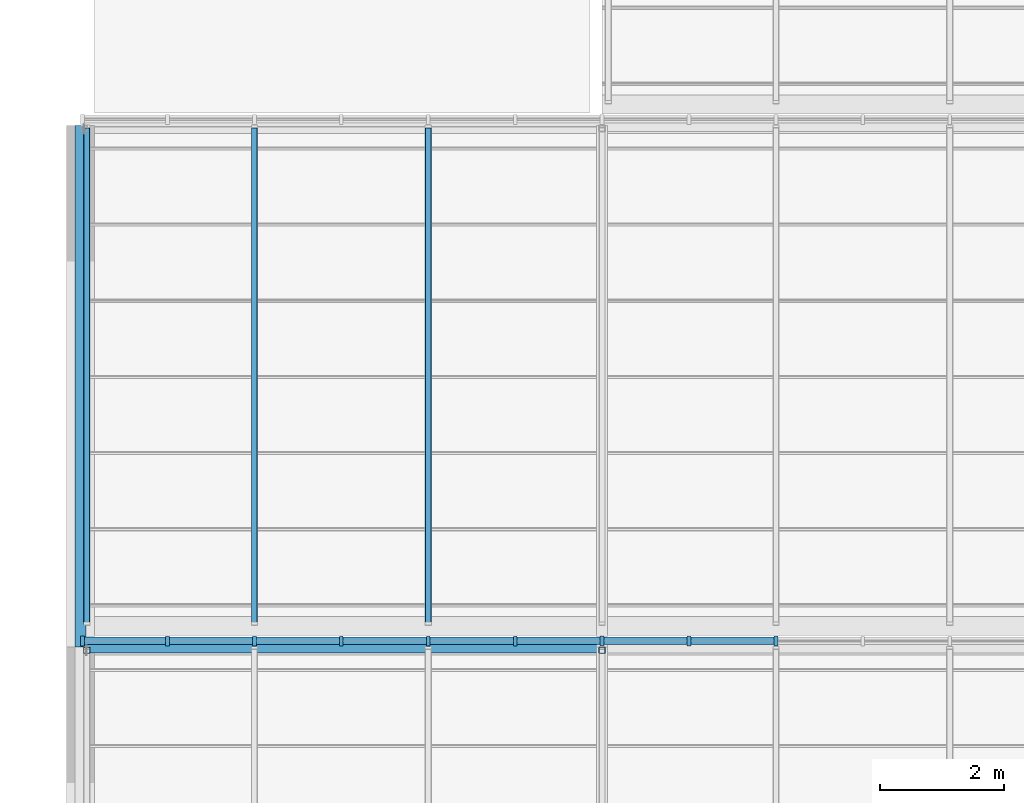
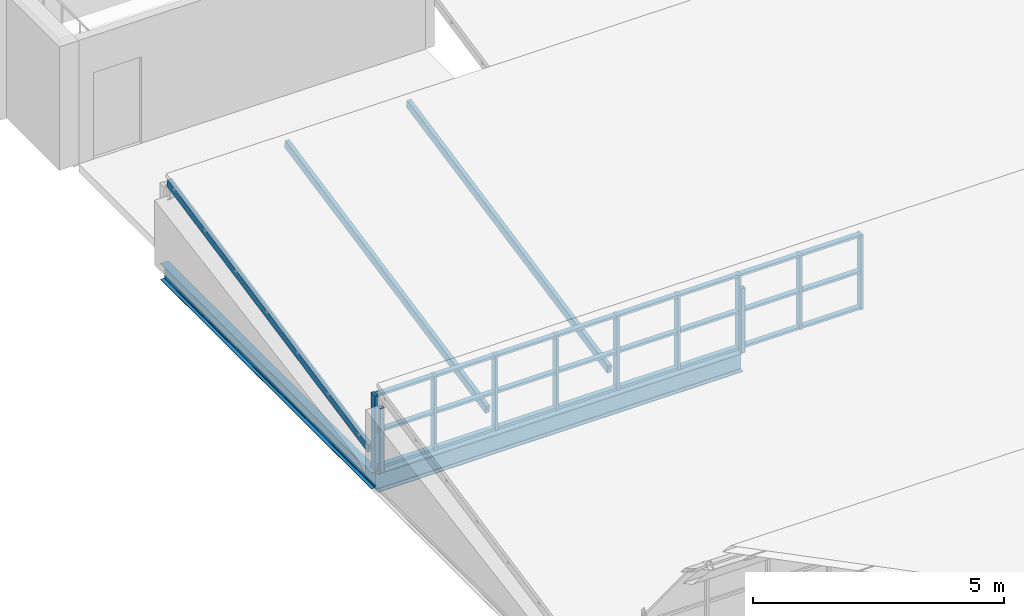
# One storey, part 15 of 121: 38 members, 2 beams, 1 element without a shape of its own.
"""IFC4 building model written with IfcOpenShell, lengths in metres."""

from ifc_helpers import new_model, si_unit, direction, frame, origin, origin_2d, place, context, subcontext, project, spatial, rectangle, hollow_rectangle, i_section, extrude, material, layer, layer_set, material_profile, profile_set, type_object, element, aggregate, save


model = new_model("IFC4")

# Units and contexts
model_context = context("Model", 3, precision=1e-05, world=origin(), true_north=direction((0.0, 1.0)))
body_context = subcontext(model_context, "Body", "Model", "MODEL_VIEW")
ifc_project = project(units=[si_unit("LENGTHUNIT", "METRE"), si_unit("AREAUNIT", "SQUARE_METRE"), si_unit("VOLUMEUNIT", "CUBIC_METRE"), si_unit("PLANEANGLEUNIT", "RADIAN"), si_unit("MASSUNIT", "GRAM", prefix="KILO")], contexts=[model_context])

# Site, building, storey
site_placement = place(None, origin())
site = spatial("IfcSite", under=ifc_project, at=site_placement, CompositionType="ELEMENT")
building_placement = place(site_placement, origin())
building = spatial("IfcBuilding", under=site, at=building_placement, Name="Ardhachandra Cancer Care Centre", CompositionType="ELEMENT")
storey_placement = place(building_placement, frame((0.0, 0.0, 9.0)))
storey = spatial("IfcBuildingStorey", under=building, at=storey_placement, Name="L02", CompositionType="ELEMENT", Elevation=9.0)

# Beams
ifc_material_1 = material(Name="Steel E350 (IS 2062)", Category="steel")
ifc_material_profile_1 = material_profile(ifc_material_1, i_section(OverallWidth=0.179931640625, OverallDepth=0.39990234375, WebThickness=0.008544921875, FlangeThickness=0.013427734375, FilletRadius=0.02099609375, at=origin_2d()), Name="NPB 400x180x66.30")
ifc_profile_set_1 = profile_set([ifc_material_profile_1], Name="Steel E350 (IS 2062)")
beam_type_1 = type_object("IfcBeamType", Name="Beam NPB 400x180x66.30", PredefinedType="BEAM", material=ifc_profile_set_1)
beam_1_placement = place(storey_placement, frame((10.800048828125, 54.60009765625, -0.199951171875), z_axis=(0.0, 1.0, 0.0), x_axis=(-1.0, 0.0, 0.0)))
element("IfcBeam", 1, at=beam_1_placement, inside=storey, type_object=beam_type_1, Name="Roof girder F1-G1", PredefinedType="BEAM", context=body_context, shape_type="SweptSolid", body=[
    extrude(i_section(OverallWidth=0.179931640625, OverallDepth=0.39990234375, WebThickness=0.008544921875, FlangeThickness=0.013427734375, FilletRadius=0.02099609375, at=origin_2d()), origin(), (0.0, 0.0, 1.0), 8.39990234375),
])
ifc_material_2 = material(Name="Steel E350 (IS 2062)", Category="steel")
ifc_material_profile_2 = material_profile(ifc_material_2, i_section(OverallWidth=0.19189453125, OverallDepth=0.4560546875, WebThickness=0.010986328125, FlangeThickness=0.017578125, FilletRadius=0.02099609375, at=origin_2d()), Name="NPB 450x190x92.36")
ifc_profile_set_2 = profile_set([ifc_material_profile_2], Name="Steel E350 (IS 2062)")
beam_type_2 = type_object("IfcBeamType", Name="Beam NPB 450x190x92.36", PredefinedType="BEAM", material=ifc_profile_set_2)
beam_2_placement = place(storey_placement, frame((10.800048828125, 54.60009765625, -0.22802734375), z_axis=(1.0, 0.0, 0.0), x_axis=(0.0, 1.0, 0.0)))
element("IfcBeam", 2, at=beam_2_placement, inside=storey, type_object=beam_type_2, Name="Roof girder F1-F2", PredefinedType="BEAM", context=body_context, shape_type="SweptSolid", body=[
    extrude(i_section(OverallWidth=0.19189453125, OverallDepth=0.4560546875, WebThickness=0.010986328125, FlangeThickness=0.017578125, FilletRadius=0.02099609375, at=origin_2d()), origin(), (0.0, 0.0, 1.0), 8.39990234375),
])

# Curtain wall, members
ifc_material_3 = material(Name="Aluminium extrusion", Category="aluminium")
ifc_layer = layer(ifc_material_3, 0.14990234375)
ifc_layer_set = layer_set([ifc_layer], Name="Aluminium extrusion")
curtain_wall_type = type_object("IfcCurtainWallType", Name="Curtain wall run", PredefinedType="NOTDEFINED", material=ifc_layer_set)
curtain_wall_placement = place(storey_placement, origin())
curtain_wall = element("IfcCurtainWall", 3, at=curtain_wall_placement, inside=storey, type_object=curtain_wall_type, Name="Curtain wall L02 n/0010800_0054700", PredefinedType="NOTDEFINED")
ifc_material_4 = material(Name="Aluminium extrusion", Category="aluminium")
ifc_material_profile_3 = material_profile(ifc_material_4, rectangle(XDim=0.159912109375, YDim=0.06005859375, at=origin_2d()), Name="Curtain wall mullion 60 x 160")
ifc_profile_set_3 = profile_set([ifc_material_profile_3], Name="Aluminium extrusion")
member_type_1 = type_object("IfcMemberType", Name="Curtain wall mullion 60 x 160", PredefinedType="MULLION", material=ifc_profile_set_3)
member_1_placement = place(storey_placement, frame((10.830078125, 54.699951171875, 0.0), z_axis=(0.0, 0.0, 1.0), x_axis=(0.0, 1.0, 0.0)))
member_1 = element("IfcMember", 4, at=member_1_placement, type_object=member_type_1, Name="CW mullion 1", PredefinedType="MULLION", context=body_context, shape_type="SweptSolid", body=[
    extrude(rectangle(XDim=0.159912109375, YDim=0.06005859375, at=origin_2d()), origin(), (0.0, 0.0, 1.0), 1.820068359375),
])
member_2_placement = place(storey_placement, frame((12.199951171875, 54.699951171875, 0.0), z_axis=(0.0, 0.0, 1.0), x_axis=(0.0, 1.0, 0.0)))
member_2 = element("IfcMember", 5, at=member_2_placement, type_object=member_type_1, Name="CW mullion 2", PredefinedType="MULLION", context=body_context, shape_type="SweptSolid", body=[
    extrude(rectangle(XDim=0.159912109375, YDim=0.06005859375, at=origin_2d()), origin(), (0.0, 0.0, 1.0), 1.820068359375),
])
member_3_placement = place(storey_placement, frame((13.60009765625, 54.699951171875, 0.0), z_axis=(0.0, 0.0, 1.0), x_axis=(0.0, 1.0, 0.0)))
member_3 = element("IfcMember", 6, at=member_3_placement, type_object=member_type_1, Name="CW mullion 3", PredefinedType="MULLION", context=body_context, shape_type="SweptSolid", body=[
    extrude(rectangle(XDim=0.159912109375, YDim=0.06005859375, at=origin_2d()), origin(), (0.0, 0.0, 1.0), 1.820068359375),
])
member_4_placement = place(storey_placement, frame((15.0, 54.699951171875, 0.0), z_axis=(0.0, 0.0, 1.0), x_axis=(0.0, 1.0, 0.0)))
member_4 = element("IfcMember", 7, at=member_4_placement, type_object=member_type_1, Name="CW mullion 4", PredefinedType="MULLION", context=body_context, shape_type="SweptSolid", body=[
    extrude(rectangle(XDim=0.159912109375, YDim=0.06005859375, at=origin_2d()), origin(), (0.0, 0.0, 1.0), 1.820068359375),
])
member_5_placement = place(storey_placement, frame((16.39990234375, 54.699951171875, 0.0), z_axis=(0.0, 0.0, 1.0), x_axis=(0.0, 1.0, 0.0)))
member_5 = element("IfcMember", 8, at=member_5_placement, type_object=member_type_1, Name="CW mullion 5", PredefinedType="MULLION", context=body_context, shape_type="SweptSolid", body=[
    extrude(rectangle(XDim=0.159912109375, YDim=0.06005859375, at=origin_2d()), origin(), (0.0, 0.0, 1.0), 1.820068359375),
])
member_6_placement = place(storey_placement, frame((17.800048828125, 54.699951171875, 0.0), z_axis=(0.0, 0.0, 1.0), x_axis=(0.0, 1.0, 0.0)))
member_6 = element("IfcMember", 9, at=member_6_placement, type_object=member_type_1, Name="CW mullion 6", PredefinedType="MULLION", context=body_context, shape_type="SweptSolid", body=[
    extrude(rectangle(XDim=0.159912109375, YDim=0.06005859375, at=origin_2d()), origin(), (0.0, 0.0, 1.0), 1.820068359375),
])
member_7_placement = place(storey_placement, frame((19.199951171875, 54.699951171875, 0.0), z_axis=(0.0, 0.0, 1.0), x_axis=(0.0, 1.0, 0.0)))
member_7 = element("IfcMember", 10, at=member_7_placement, type_object=member_type_1, Name="CW mullion 7", PredefinedType="MULLION", context=body_context, shape_type="SweptSolid", body=[
    extrude(rectangle(XDim=0.159912109375, YDim=0.06005859375, at=origin_2d()), origin(), (0.0, 0.0, 1.0), 1.820068359375),
])
member_8_placement = place(storey_placement, frame((20.60009765625, 54.699951171875, 0.0), z_axis=(0.0, 0.0, 1.0), x_axis=(0.0, 1.0, 0.0)))
member_8 = element("IfcMember", 11, at=member_8_placement, type_object=member_type_1, Name="CW mullion 8", PredefinedType="MULLION", context=body_context, shape_type="SweptSolid", body=[
    extrude(rectangle(XDim=0.159912109375, YDim=0.06005859375, at=origin_2d()), origin(), (0.0, 0.0, 1.0), 1.820068359375),
])
member_9_placement = place(storey_placement, frame((22.0, 54.699951171875, 0.0), z_axis=(0.0, 0.0, 1.0), x_axis=(0.0, 1.0, 0.0)))
member_9 = element("IfcMember", 12, at=member_9_placement, type_object=member_type_1, Name="CW mullion 9", PredefinedType="MULLION", context=body_context, shape_type="SweptSolid", body=[
    extrude(rectangle(XDim=0.159912109375, YDim=0.06005859375, at=origin_2d()), origin(), (0.0, 0.0, 1.0), 1.820068359375),
])
ifc_material_5 = material(Name="Aluminium extrusion", Category="aluminium")
ifc_material_profile_4 = material_profile(ifc_material_5, rectangle(XDim=0.1201171875, YDim=0.06005859375, at=origin_2d()), Name="Curtain wall transom 60 x 120")
ifc_profile_set_4 = profile_set([ifc_material_profile_4], Name="Aluminium extrusion")
member_type_2 = type_object("IfcMemberType", Name="Curtain wall transom 60 x 120", PredefinedType="USERDEFINED", material=ifc_profile_set_4)
member_10_placement = place(storey_placement, frame((10.860107421875, 54.699951171875, 0.030029296875), z_axis=(1.0, 0.0, 0.0), x_axis=(0.0, 1.0, 0.0)))
member_10 = element("IfcMember", 13, at=member_10_placement, type_object=member_type_2, Name="CW transom 1.1", ObjectType="TRANSOM", PredefinedType="USERDEFINED", context=body_context, shape_type="SweptSolid", body=[
    extrude(rectangle(XDim=0.1201171875, YDim=0.06005859375, at=origin_2d()), origin(), (0.0, 0.0, 1.0), 1.309814453125),
])
member_11_placement = place(storey_placement, frame((10.860107421875, 54.699951171875, 0.909912109375), z_axis=(1.0, 0.0, 0.0), x_axis=(0.0, 1.0, 0.0)))
member_11 = element("IfcMember", 14, at=member_11_placement, type_object=member_type_2, Name="CW transom 1.2", ObjectType="TRANSOM", PredefinedType="USERDEFINED", context=body_context, shape_type="SweptSolid", body=[
    extrude(rectangle(XDim=0.1201171875, YDim=0.06005859375, at=origin_2d()), origin(), (0.0, 0.0, 1.0), 1.309814453125),
])
member_12_placement = place(storey_placement, frame((10.860107421875, 54.699951171875, 1.7900390625), z_axis=(1.0, 0.0, 0.0), x_axis=(0.0, 1.0, 0.0)))
member_12 = element("IfcMember", 15, at=member_12_placement, type_object=member_type_2, Name="CW transom 1.3", ObjectType="TRANSOM", PredefinedType="USERDEFINED", context=body_context, shape_type="SweptSolid", body=[
    extrude(rectangle(XDim=0.1201171875, YDim=0.06005859375, at=origin_2d()), origin(), (0.0, 0.0, 1.0), 1.309814453125),
])
member_13_placement = place(storey_placement, frame((12.22998046875, 54.699951171875, 0.030029296875), z_axis=(1.0, 0.0, 0.0), x_axis=(0.0, 1.0, 0.0)))
member_13 = element("IfcMember", 16, at=member_13_placement, type_object=member_type_2, Name="CW transom 2.1", ObjectType="TRANSOM", PredefinedType="USERDEFINED", context=body_context, shape_type="SweptSolid", body=[
    extrude(rectangle(XDim=0.1201171875, YDim=0.06005859375, at=origin_2d()), origin(), (0.0, 0.0, 1.0), 1.340087890625),
])
member_14_placement = place(storey_placement, frame((12.22998046875, 54.699951171875, 0.909912109375), z_axis=(1.0, 0.0, 0.0), x_axis=(0.0, 1.0, 0.0)))
member_14 = element("IfcMember", 17, at=member_14_placement, type_object=member_type_2, Name="CW transom 2.2", ObjectType="TRANSOM", PredefinedType="USERDEFINED", context=body_context, shape_type="SweptSolid", body=[
    extrude(rectangle(XDim=0.1201171875, YDim=0.06005859375, at=origin_2d()), origin(), (0.0, 0.0, 1.0), 1.340087890625),
])
member_15_placement = place(storey_placement, frame((12.22998046875, 54.699951171875, 1.7900390625), z_axis=(1.0, 0.0, 0.0), x_axis=(0.0, 1.0, 0.0)))
member_15 = element("IfcMember", 18, at=member_15_placement, type_object=member_type_2, Name="CW transom 2.3", ObjectType="TRANSOM", PredefinedType="USERDEFINED", context=body_context, shape_type="SweptSolid", body=[
    extrude(rectangle(XDim=0.1201171875, YDim=0.06005859375, at=origin_2d()), origin(), (0.0, 0.0, 1.0), 1.340087890625),
])
member_16_placement = place(storey_placement, frame((13.6298828125, 54.699951171875, 0.030029296875), z_axis=(1.0, 0.0, 0.0), x_axis=(0.0, 1.0, 0.0)))
member_16 = element("IfcMember", 19, at=member_16_placement, type_object=member_type_2, Name="CW transom 3.1", ObjectType="TRANSOM", PredefinedType="USERDEFINED", context=body_context, shape_type="SweptSolid", body=[
    extrude(rectangle(XDim=0.1201171875, YDim=0.06005859375, at=origin_2d()), origin(), (0.0, 0.0, 1.0), 1.340087890625),
])
member_17_placement = place(storey_placement, frame((13.6298828125, 54.699951171875, 0.909912109375), z_axis=(1.0, 0.0, 0.0), x_axis=(0.0, 1.0, 0.0)))
member_17 = element("IfcMember", 20, at=member_17_placement, type_object=member_type_2, Name="CW transom 3.2", ObjectType="TRANSOM", PredefinedType="USERDEFINED", context=body_context, shape_type="SweptSolid", body=[
    extrude(rectangle(XDim=0.1201171875, YDim=0.06005859375, at=origin_2d()), origin(), (0.0, 0.0, 1.0), 1.340087890625),
])
member_18_placement = place(storey_placement, frame((13.6298828125, 54.699951171875, 1.7900390625), z_axis=(1.0, 0.0, 0.0), x_axis=(0.0, 1.0, 0.0)))
member_18 = element("IfcMember", 21, at=member_18_placement, type_object=member_type_2, Name="CW transom 3.3", ObjectType="TRANSOM", PredefinedType="USERDEFINED", context=body_context, shape_type="SweptSolid", body=[
    extrude(rectangle(XDim=0.1201171875, YDim=0.06005859375, at=origin_2d()), origin(), (0.0, 0.0, 1.0), 1.340087890625),
])
member_19_placement = place(storey_placement, frame((15.030029296875, 54.699951171875, 0.030029296875), z_axis=(1.0, 0.0, 0.0), x_axis=(0.0, 1.0, 0.0)))
member_19 = element("IfcMember", 22, at=member_19_placement, type_object=member_type_2, Name="CW transom 4.1", ObjectType="TRANSOM", PredefinedType="USERDEFINED", context=body_context, shape_type="SweptSolid", body=[
    extrude(rectangle(XDim=0.1201171875, YDim=0.06005859375, at=origin_2d()), origin(), (0.0, 0.0, 1.0), 1.340087890625),
])
member_20_placement = place(storey_placement, frame((15.030029296875, 54.699951171875, 0.909912109375), z_axis=(1.0, 0.0, 0.0), x_axis=(0.0, 1.0, 0.0)))
member_20 = element("IfcMember", 23, at=member_20_placement, type_object=member_type_2, Name="CW transom 4.2", ObjectType="TRANSOM", PredefinedType="USERDEFINED", context=body_context, shape_type="SweptSolid", body=[
    extrude(rectangle(XDim=0.1201171875, YDim=0.06005859375, at=origin_2d()), origin(), (0.0, 0.0, 1.0), 1.340087890625),
])
member_21_placement = place(storey_placement, frame((15.030029296875, 54.699951171875, 1.7900390625), z_axis=(1.0, 0.0, 0.0), x_axis=(0.0, 1.0, 0.0)))
member_21 = element("IfcMember", 24, at=member_21_placement, type_object=member_type_2, Name="CW transom 4.3", ObjectType="TRANSOM", PredefinedType="USERDEFINED", context=body_context, shape_type="SweptSolid", body=[
    extrude(rectangle(XDim=0.1201171875, YDim=0.06005859375, at=origin_2d()), origin(), (0.0, 0.0, 1.0), 1.340087890625),
])
member_22_placement = place(storey_placement, frame((16.429931640625, 54.699951171875, 0.030029296875), z_axis=(1.0, 0.0, 0.0), x_axis=(0.0, 1.0, 0.0)))
member_22 = element("IfcMember", 25, at=member_22_placement, type_object=member_type_2, Name="CW transom 5.1", ObjectType="TRANSOM", PredefinedType="USERDEFINED", context=body_context, shape_type="SweptSolid", body=[
    extrude(rectangle(XDim=0.1201171875, YDim=0.06005859375, at=origin_2d()), origin(), (0.0, 0.0, 1.0), 1.340087890625),
])
member_23_placement = place(storey_placement, frame((16.429931640625, 54.699951171875, 0.909912109375), z_axis=(1.0, 0.0, 0.0), x_axis=(0.0, 1.0, 0.0)))
member_23 = element("IfcMember", 26, at=member_23_placement, type_object=member_type_2, Name="CW transom 5.2", ObjectType="TRANSOM", PredefinedType="USERDEFINED", context=body_context, shape_type="SweptSolid", body=[
    extrude(rectangle(XDim=0.1201171875, YDim=0.06005859375, at=origin_2d()), origin(), (0.0, 0.0, 1.0), 1.340087890625),
])
member_24_placement = place(storey_placement, frame((16.429931640625, 54.699951171875, 1.7900390625), z_axis=(1.0, 0.0, 0.0), x_axis=(0.0, 1.0, 0.0)))
member_24 = element("IfcMember", 27, at=member_24_placement, type_object=member_type_2, Name="CW transom 5.3", ObjectType="TRANSOM", PredefinedType="USERDEFINED", context=body_context, shape_type="SweptSolid", body=[
    extrude(rectangle(XDim=0.1201171875, YDim=0.06005859375, at=origin_2d()), origin(), (0.0, 0.0, 1.0), 1.340087890625),
])
member_25_placement = place(storey_placement, frame((17.830078125, 54.699951171875, 0.030029296875), z_axis=(1.0, 0.0, 0.0), x_axis=(0.0, 1.0, 0.0)))
member_25 = element("IfcMember", 28, at=member_25_placement, type_object=member_type_2, Name="CW transom 6.1", ObjectType="TRANSOM", PredefinedType="USERDEFINED", context=body_context, shape_type="SweptSolid", body=[
    extrude(rectangle(XDim=0.1201171875, YDim=0.06005859375, at=origin_2d()), origin(), (0.0, 0.0, 1.0), 1.33984375),
])
member_26_placement = place(storey_placement, frame((17.830078125, 54.699951171875, 0.909912109375), z_axis=(1.0, 0.0, 0.0), x_axis=(0.0, 1.0, 0.0)))
member_26 = element("IfcMember", 29, at=member_26_placement, type_object=member_type_2, Name="CW transom 6.2", ObjectType="TRANSOM", PredefinedType="USERDEFINED", context=body_context, shape_type="SweptSolid", body=[
    extrude(rectangle(XDim=0.1201171875, YDim=0.06005859375, at=origin_2d()), origin(), (0.0, 0.0, 1.0), 1.33984375),
])
member_27_placement = place(storey_placement, frame((17.830078125, 54.699951171875, 1.7900390625), z_axis=(1.0, 0.0, 0.0), x_axis=(0.0, 1.0, 0.0)))
member_27 = element("IfcMember", 30, at=member_27_placement, type_object=member_type_2, Name="CW transom 6.3", ObjectType="TRANSOM", PredefinedType="USERDEFINED", context=body_context, shape_type="SweptSolid", body=[
    extrude(rectangle(XDim=0.1201171875, YDim=0.06005859375, at=origin_2d()), origin(), (0.0, 0.0, 1.0), 1.33984375),
])
member_28_placement = place(storey_placement, frame((19.22998046875, 54.699951171875, 0.030029296875), z_axis=(1.0, 0.0, 0.0), x_axis=(0.0, 1.0, 0.0)))
member_28 = element("IfcMember", 31, at=member_28_placement, type_object=member_type_2, Name="CW transom 7.1", ObjectType="TRANSOM", PredefinedType="USERDEFINED", context=body_context, shape_type="SweptSolid", body=[
    extrude(rectangle(XDim=0.1201171875, YDim=0.06005859375, at=origin_2d()), origin(), (0.0, 0.0, 1.0), 1.340087890625),
])
member_29_placement = place(storey_placement, frame((19.22998046875, 54.699951171875, 0.909912109375), z_axis=(1.0, 0.0, 0.0), x_axis=(0.0, 1.0, 0.0)))
member_29 = element("IfcMember", 32, at=member_29_placement, type_object=member_type_2, Name="CW transom 7.2", ObjectType="TRANSOM", PredefinedType="USERDEFINED", context=body_context, shape_type="SweptSolid", body=[
    extrude(rectangle(XDim=0.1201171875, YDim=0.06005859375, at=origin_2d()), origin(), (0.0, 0.0, 1.0), 1.340087890625),
])
member_30_placement = place(storey_placement, frame((19.22998046875, 54.699951171875, 1.7900390625), z_axis=(1.0, 0.0, 0.0), x_axis=(0.0, 1.0, 0.0)))
member_30 = element("IfcMember", 33, at=member_30_placement, type_object=member_type_2, Name="CW transom 7.3", ObjectType="TRANSOM", PredefinedType="USERDEFINED", context=body_context, shape_type="SweptSolid", body=[
    extrude(rectangle(XDim=0.1201171875, YDim=0.06005859375, at=origin_2d()), origin(), (0.0, 0.0, 1.0), 1.340087890625),
])
member_31_placement = place(storey_placement, frame((20.6298828125, 54.699951171875, 0.030029296875), z_axis=(1.0, 0.0, 0.0), x_axis=(0.0, 1.0, 0.0)))
member_31 = element("IfcMember", 34, at=member_31_placement, type_object=member_type_2, Name="CW transom 8.1", ObjectType="TRANSOM", PredefinedType="USERDEFINED", context=body_context, shape_type="SweptSolid", body=[
    extrude(rectangle(XDim=0.1201171875, YDim=0.06005859375, at=origin_2d()), origin(), (0.0, 0.0, 1.0), 1.340087890625),
])
member_32_placement = place(storey_placement, frame((20.6298828125, 54.699951171875, 0.909912109375), z_axis=(1.0, 0.0, 0.0), x_axis=(0.0, 1.0, 0.0)))
member_32 = element("IfcMember", 35, at=member_32_placement, type_object=member_type_2, Name="CW transom 8.2", ObjectType="TRANSOM", PredefinedType="USERDEFINED", context=body_context, shape_type="SweptSolid", body=[
    extrude(rectangle(XDim=0.1201171875, YDim=0.06005859375, at=origin_2d()), origin(), (0.0, 0.0, 1.0), 1.340087890625),
])
member_33_placement = place(storey_placement, frame((20.6298828125, 54.699951171875, 1.7900390625), z_axis=(1.0, 0.0, 0.0), x_axis=(0.0, 1.0, 0.0)))
member_33 = element("IfcMember", 36, at=member_33_placement, type_object=member_type_2, Name="CW transom 8.3", ObjectType="TRANSOM", PredefinedType="USERDEFINED", context=body_context, shape_type="SweptSolid", body=[
    extrude(rectangle(XDim=0.1201171875, YDim=0.06005859375, at=origin_2d()), origin(), (0.0, 0.0, 1.0), 1.340087890625),
])
aggregate(curtain_wall, [member_1, member_2, member_3, member_4, member_5, member_6, member_7, member_8, member_9, member_10, member_11, member_12, member_13, member_14, member_15, member_16, member_17, member_18, member_19, member_20, member_21, member_22, member_23, member_24, member_25, member_26, member_27, member_28, member_29, member_30, member_31, member_32, member_33])

# Members
ifc_material_6 = material(Name="Steel E350 (IS 2062)", Category="steel")
ifc_material_profile_5 = material_profile(ifc_material_6, hollow_rectangle(XDim=0.10009765625, YDim=0.199951171875, WallThickness=0.006103515625, InnerFilletRadius=0.006103515625, OuterFilletRadius=0.011962890625, at=origin_2d()), Name="RHS 200x100x6.0")
ifc_profile_set_5 = profile_set([ifc_material_profile_5], Name="Steel E350 (IS 2062)")
member_type_3 = type_object("IfcMemberType", Name="Roof rafter RHS 200x100x6.0", PredefinedType="RAFTER", material=ifc_profile_set_5)
for number, where, z_axis, x_axis, name in (
    (37, (10.89990234375, 54.980224609375, 0.298095703125), (0.0, 0.980109665583, 0.198456653782), (-1.0, 0.0, 0.0), "Rafter T4a.1"),
    (38, (13.60009765625, 54.980224609375, 0.298095703125), (0.0, 0.980109665583, 0.198456653782), (-1.0, 0.0, 0.0), "Rafter T4a.2"),
    (39, (16.39990234375, 54.980224609375, 0.298095703125), (0.0, 0.980109665583, 0.198456653782), (-1.0, 0.0, 0.0), "Rafter T4a.3"),
):
    element("IfcMember", number, at=place(storey_placement, frame(where, z_axis=z_axis, x_axis=x_axis)), inside=storey, type_object=member_type_3, Name=name, PredefinedType="RAFTER", context=body_context, shape_type="SweptSolid", body=[
        extrude(hollow_rectangle(XDim=0.10009765625, YDim=0.199951171875, WallThickness=0.006103515625, InnerFilletRadius=0.006103515625, OuterFilletRadius=0.011962890625, at=origin_2d()), origin(), (0.0, 0.0, 1.0), 8.162353515625),
    ])
ifc_material_7 = material(Name="Steel E350 (IS 2062)", Category="steel")
ifc_material_profile_6 = material_profile(ifc_material_7, hollow_rectangle(XDim=0.10009765625, YDim=0.10009765625, WallThickness=0.0048828125, InnerFilletRadius=0.0048828125, OuterFilletRadius=0.010009765625, at=origin_2d()), Name="SHS 100x100x5.0")
ifc_profile_set_6 = profile_set([ifc_material_profile_6], Name="Steel E350 (IS 2062)")
member_type_4 = type_object("IfcMemberType", Name="Sawtooth ridge post SHS 100x100x5.0", PredefinedType="POST", material=ifc_profile_set_6)
for number, where, z_axis, x_axis, name in (
    (40, (10.89990234375, 54.550048828125, 0.0), (0.0, 0.0, 1.0), (1.0, 0.0, 0.0), "Ridge post T3a.1"),
    (41, (19.199951171875, 54.550048828125, 0.0), (0.0, 0.0, 1.0), (1.0, 0.0, 0.0), "Ridge post T3a.2"),
):
    element("IfcMember", number, at=place(storey_placement, frame(where, z_axis=z_axis, x_axis=x_axis)), inside=storey, type_object=member_type_4, Name=name, PredefinedType="POST", context=body_context, shape_type="SweptSolid", body=[
        extrude(hollow_rectangle(XDim=0.10009765625, YDim=0.10009765625, WallThickness=0.0048828125, InnerFilletRadius=0.0048828125, OuterFilletRadius=0.010009765625, at=origin_2d()), origin(), (0.0, 0.0, 1.0), 1.5673828125),
    ])

save(model, "model.ifc")
